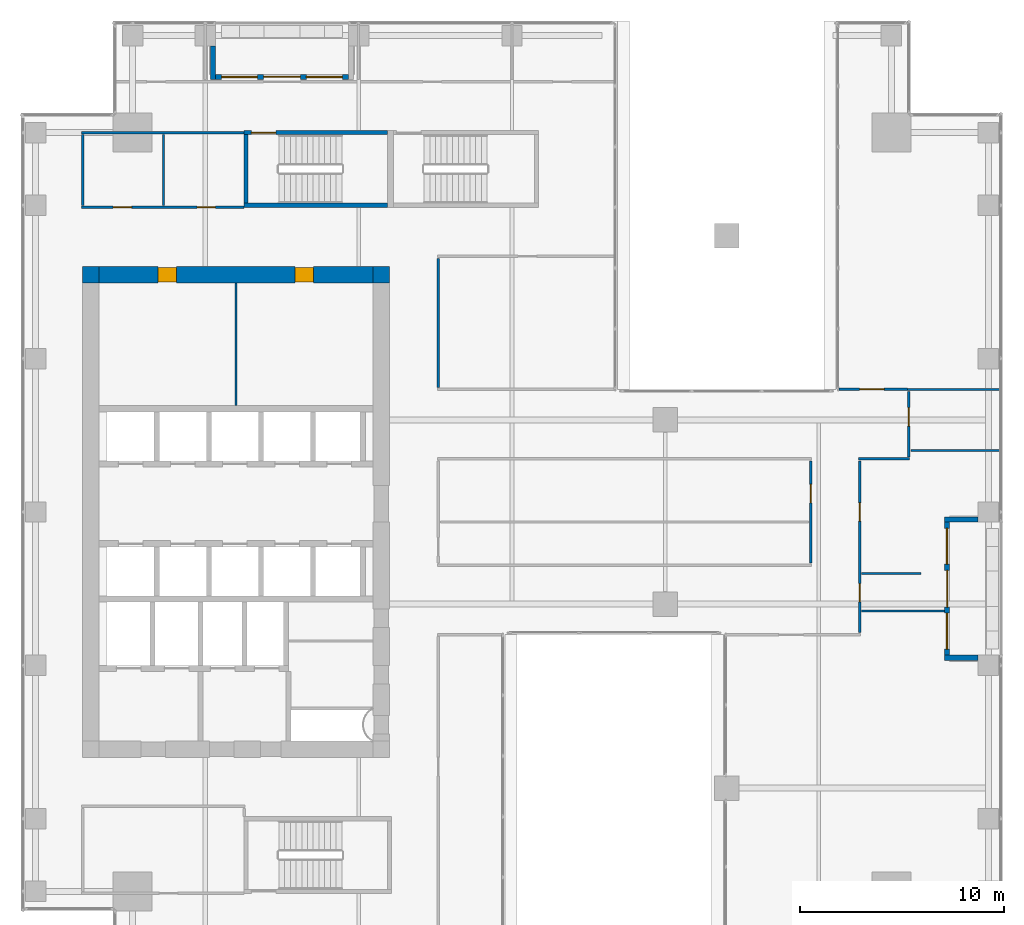
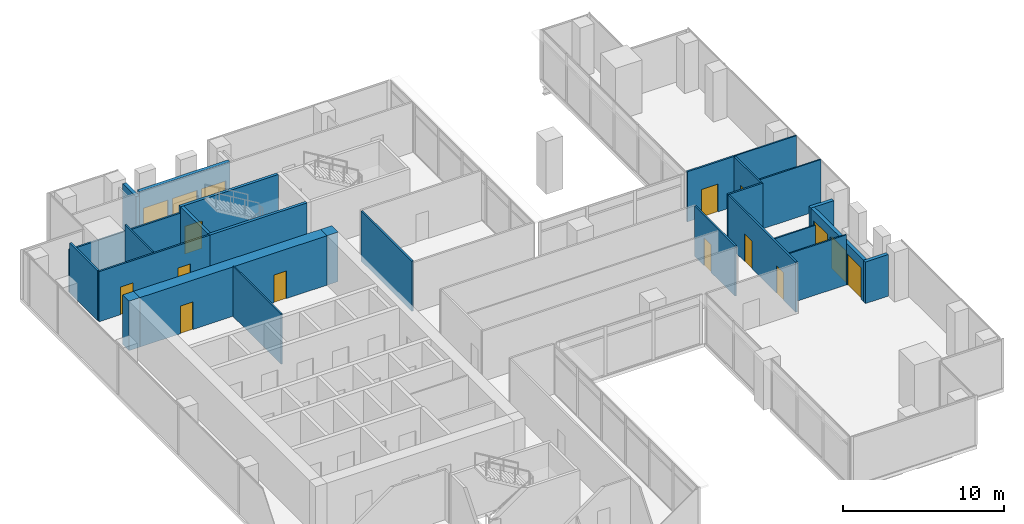
# One storey, part 34 of 38: 26 walls, 12 doors, 4 windows, 16 openings.
"""IFC4 building model written with IfcOpenShell, lengths in metres."""

import ifcopenshell
import ifcopenshell.guid

model = None  # the IFC model being written
_history = None  # IfcOwnerHistory: only IFC2X3 demands one
_inside = {}  # id of a spatial element -> (the spatial element, [elements in it])
_under = {}  # id of a project, library or spatial element -> (it, [spatial elements below it])
_declared = {}  # id of a project -> (the project, [libraries it declares])
_typed = {}  # id of a type object -> (the type object, [elements of that type])
_made_of = {}  # id of a material, layer set ... -> (it, [elements and type objects made of it])


def new_model(schema):
    """Start an empty IFC model of exactly this schema.

    Asked for "IFC4X3", IfcOpenShell would pick the latest addendum, in which some entities
    have other attributes; the version numbers below select the first issue.
    IFC2X3 requires an IfcOwnerHistory on every rooted entity: one is made here for all.
    """
    global model, _history
    if schema == "IFC4X3":
        model = ifcopenshell.file(schema_version=(4, 3, 0, 0))
    else:
        model = ifcopenshell.file(schema=schema)
    _inside.clear()
    _under.clear()
    _declared.clear()
    _typed.clear()
    _made_of.clear()
    _history = None
    if model.schema == "IFC2X3":
        org = make("IfcOrganization", Name="unknown")
        user = make(
            "IfcPersonAndOrganization",
            ThePerson=make("IfcPerson", FamilyName="unknown"),
            TheOrganization=org,
        )
        app = make(
            "IfcApplication",
            ApplicationDeveloper=org,
            Version="unknown",
            ApplicationFullName="unknown",
            ApplicationIdentifier="unknown",
        )
        _history = make(
            "IfcOwnerHistory",
            OwningUser=user,
            OwningApplication=app,
            ChangeAction="ADDED",
            CreationDate=0,
        )
    return model


def make(cls, **values):
    """One entity of the class cls with the attributes given. An attribute that is None is left unset."""
    return model.create_entity(
        cls, **{name: value for name, value in values.items() if value is not None}
    )


def rooted(cls, **values):
    """An entity with a GlobalId (a new one), such as an element, a storey or a relation."""
    return make(cls, GlobalId=ifcopenshell.guid.new(), OwnerHistory=_history, **values)


def si_unit(unit_type, name, prefix=None):
    """IfcSIUnit, for example si_unit("LENGTHUNIT", "METRE", prefix="MILLI")."""
    return make("IfcSIUnit", UnitType=unit_type, Prefix=prefix, Name=name)


def assignment(units):
    """IfcUnitAssignment: the units of a project."""
    return None if units is None else make("IfcUnitAssignment", Units=units)


def point(xyz):
    """IfcCartesianPoint."""
    return None if xyz is None else make("IfcCartesianPoint", Coordinates=xyz)


def direction(xyz):
    """IfcDirection."""
    return None if xyz is None else make("IfcDirection", DirectionRatios=xyz)


def frame(location, z_axis=None, x_axis=None):
    """IfcAxis2Placement3D, a coordinate frame: its origin and axes. An axis left out is left unset."""
    return make(
        "IfcAxis2Placement3D",
        Location=point(location),
        Axis=direction(z_axis),
        RefDirection=direction(x_axis),
    )


def frame_2d(location, x_axis=None):
    """IfcAxis2Placement2D, a coordinate frame in the plane: its origin and x axis."""
    return make(
        "IfcAxis2Placement2D", Location=point(location), RefDirection=direction(x_axis)
    )


def origin():
    """The frame at (0, 0, 0) with its axes left unset."""
    return frame((0.0, 0.0, 0.0))


def place(relative_to, where):
    """IfcLocalPlacement: puts the frame where relative to a parent placement (None: the world)."""
    return make(
        "IfcLocalPlacement", PlacementRelTo=relative_to, RelativePlacement=where
    )


def context(
    kind, dimensions, precision=None, world=None, true_north=None, identifier=None
):
    """IfcGeometricRepresentationContext, for example the 3D "Model" context."""
    return make(
        "IfcGeometricRepresentationContext",
        ContextIdentifier=identifier,
        ContextType=kind,
        CoordinateSpaceDimension=dimensions,
        Precision=precision,
        WorldCoordinateSystem=world,
        TrueNorth=true_north,
    )


def subcontext(parent, identifier, kind, view, scale=None):
    """IfcGeometricRepresentationSubContext, for example "Body" below "Model"."""
    return make(
        "IfcGeometricRepresentationSubContext",
        ContextIdentifier=identifier,
        ContextType=kind,
        ParentContext=parent,
        TargetScale=scale,
        TargetView=view,
    )


def project(units=None, contexts=None):
    """IfcProject with its units and contexts."""
    return rooted(
        "IfcProject",
        Name="project",
        RepresentationContexts=contexts,
        UnitsInContext=assignment(units),
    )


def spatial(cls, under=None, at=None, **own):
    """A site, building, storey or space (cls), placed at a placement, below another one or the project."""
    s = rooted(cls, ObjectPlacement=at, **own)
    if under is not None:
        _under.setdefault(under.id(), (under, []))[1].append(s)
    return s


def profile(cls, at=None, kind="AREA", **sizes):
    """A parametric profile (cls). Its sizes go by their IFC names, for example OverallWidth=200.0."""
    return make(cls, ProfileType=kind, Position=at, **sizes)


def rectangle(**sizes):
    """IfcRectangleProfileDef."""
    return profile("IfcRectangleProfileDef", **sizes)


def extrude(swept, where, along, depth):
    """IfcExtrudedAreaSolid: the profile swept, set in the frame where, extruded along a direction by depth."""
    return make(
        "IfcExtrudedAreaSolid",
        SweptArea=swept,
        Position=where,
        ExtrudedDirection=direction(along),
        Depth=depth,
    )


def shape(context_of_items, identifier, shape_type, items):
    """IfcShapeRepresentation: the items that make up one representation, for example the "Body"."""
    return make(
        "IfcShapeRepresentation",
        ContextOfItems=context_of_items,
        RepresentationIdentifier=identifier,
        RepresentationType=shape_type,
        Items=items,
    )


def source(mapping_origin, context_of_items, identifier, shape_type, items):
    """IfcRepresentationMap: a shape defined once, which mapped items show again and again."""
    return make(
        "IfcRepresentationMap",
        MappingOrigin=mapping_origin,
        MappedRepresentation=shape(context_of_items, identifier, shape_type, items),
    )


def transform(
    local_origin,
    x_axis=None,
    y_axis=None,
    z_axis=None,
    scale=None,
    scale2=None,
    scale3=None,
    uniform=True,
):
    """IfcCartesianTransformationOperator3D, or its non-uniform kind. x_axis, y_axis, z_axis: its Axis1, 2, 3."""
    if uniform:
        return make(
            "IfcCartesianTransformationOperator3D",
            Axis1=direction(x_axis),
            Axis2=direction(y_axis),
            LocalOrigin=point(local_origin),
            Scale=scale,
            Axis3=direction(z_axis),
        )
    return make(
        "IfcCartesianTransformationOperator3DnonUniform",
        Axis1=direction(x_axis),
        Axis2=direction(y_axis),
        LocalOrigin=point(local_origin),
        Scale=scale,
        Axis3=direction(z_axis),
        Scale2=scale2,
        Scale3=scale3,
    )


def mapped(mapping_source, mapping_target):
    """IfcMappedItem: shows the shape of a source again, moved by a transform."""
    return make(
        "IfcMappedItem", MappingSource=mapping_source, MappingTarget=mapping_target
    )


def material(Name=None, Category=None):
    """IfcMaterial."""
    return make("IfcMaterial", Name=Name, Category=Category)


def layer(
    of_material, thickness, ventilated=None, Name=None, Category=None, Priority=None
):
    """IfcMaterialLayer: one layer of a wall or slab, of a material (None: an air gap)."""
    return make(
        "IfcMaterialLayer",
        Material=of_material,
        LayerThickness=thickness,
        IsVentilated=ventilated,
        Name=Name,
        Category=Category,
        Priority=Priority,
    )


def layer_set(layers, Name=None):
    """IfcMaterialLayerSet."""
    return make("IfcMaterialLayerSet", MaterialLayers=layers, LayerSetName=Name)


def made_of(thing, what):
    """Note that an element or type object is made of a material, layer set ...; save() writes the relation."""
    if what is not None:
        _made_of.setdefault(what.id(), (what, []))[1].append(thing)
    return thing


def type_object(cls, material=None, **own):
    """A type object (cls), such as IfcWallType, which elements share."""
    return made_of(rooted(cls, **own), material)


def element(
    cls,
    number,
    at=None,
    inside=None,
    cuts=None,
    type_object=None,
    material=None,
    context=None,
    identifier="Body",
    shape_type=None,
    held_by="IfcProductDefinitionShape",
    body=None,
    shapes=None,
    **own,
):
    """One element of the class cls, such as IfcWall. Its Tag is "e" and its number.

    at: its placement. inside: the storey or other place that contains it. cuts: it is an
    opening in that element (IfcRelVoidsElement). A single representation is given by context,
    identifier, shape_type and body (its items); several are given by shapes. held_by: the class
    of the entity that holds the representations. save() writes the other relations.
    """
    e = rooted(cls, Tag="e%d" % number, ObjectPlacement=at, **own)
    if body is not None:
        shapes = [shape(context, identifier, shape_type, body)]
    if shapes is not None:
        e.Representation = make(held_by, Representations=shapes)
    if inside is not None:
        _inside.setdefault(inside.id(), (inside, []))[1].append(e)
    if cuts is not None:
        rooted(
            "IfcRelVoidsElement", RelatingBuildingElement=cuts, RelatedOpeningElement=e
        )
    if type_object is not None:
        _typed.setdefault(type_object.id(), (type_object, []))[1].append(e)
    return made_of(e, material)


def fill(opening, filler):
    """IfcRelFillsElement: the door or window that sits in an opening."""
    return rooted(
        "IfcRelFillsElement",
        RelatingOpeningElement=opening,
        RelatedBuildingElement=filler,
    )


def aggregate(whole, parts):
    """IfcRelAggregates: a whole, such as a stair, and the parts it consists of."""
    return rooted("IfcRelAggregates", RelatingObject=whole, RelatedObjects=parts)


def save(model, path):
    """Write the relations noted so far, then the file.

    IfcRelAggregates (storeys below a building ...), IfcRelContainedInSpatialStructure (elements
    in a storey), IfcRelDefinesByType, IfcRelAssociatesMaterial and IfcRelDeclares: one each for
    every whole, place, type object, material and project.
    """
    for whole, parts in _under.values():
        aggregate(whole, parts)
    for where, things in _inside.values():
        rooted(
            "IfcRelContainedInSpatialStructure",
            RelatedElements=things,
            RelatingStructure=where,
        )
    for kind, things in _typed.values():
        rooted("IfcRelDefinesByType", RelatedObjects=things, RelatingType=kind)
    for what, things in _made_of.values():
        rooted("IfcRelAssociatesMaterial", RelatedObjects=things, RelatingMaterial=what)
    for by, libraries in _declared.values():
        rooted("IfcRelDeclares", RelatingContext=by, RelatedDefinitions=libraries)
    model.write(path)


model = new_model("IFC4")

# Units and contexts
model_context = context("Model", 3, precision=1e-05, world=origin(), true_north=direction((0.0, 1.0)))
body_context = subcontext(model_context, "Body", "Model", "MODEL_VIEW")
ifc_project = project(units=[si_unit("LENGTHUNIT", "METRE"), si_unit("AREAUNIT", "SQUARE_METRE"), si_unit("VOLUMEUNIT", "CUBIC_METRE"), si_unit("PLANEANGLEUNIT", "RADIAN"), si_unit("MASSUNIT", "GRAM", prefix="KILO")], contexts=[model_context])

# Site, building, storey
site_placement = place(None, origin())
site = spatial("IfcSite", under=ifc_project, at=site_placement, CompositionType="ELEMENT")
building_placement = place(site_placement, origin())
building = spatial("IfcBuilding", under=site, at=building_placement, Name="Khomas Fold Tower", CompositionType="ELEMENT")
storey_placement = place(building_placement, frame((0.0, 0.0, 172.699951171875)))
storey = spatial("IfcBuildingStorey", under=building, at=storey_placement, Name="L37", CompositionType="ELEMENT", Elevation=172.699951171875)

# Wall, openings, doors
ifc_material_1 = material(Name="Concrete C60/75", Category="concrete")
ifc_layer_1 = layer(ifc_material_1, 0.800048828125)
ifc_layer_set_1 = layer_set([ifc_layer_1], Name="Concrete C60/75")
wall_type_1 = type_object("IfcWallType", Name="Core wall 800", PredefinedType="SHEAR", material=ifc_layer_set_1)
shared_shape_1 = source(origin(), body_context, "Body", "SweptSolid", [
    extrude(rectangle(XDim=13.39990234375, YDim=0.800048828125, at=frame_2d((6.699951171875, 0.0))), origin(), (0.0, 0.0, 1.0), 3.75),
])
wall_1_placement = place(storey_placement, frame((6.800048828125, 38.60009765625, 0.0), z_axis=(0.0, 0.0, 1.0), x_axis=(1.0, 0.0, 0.0)))
wall_1 = element("IfcWall", 1, at=wall_1_placement, inside=storey, type_object=wall_type_1, Name="Core wall CW-U-N-L35", PredefinedType="SHEAR", context=body_context, shape_type="MappedRepresentation", body=[
    mapped(shared_shape_1, transform((0.0, 0.0, 0.0))),
])
shared_shape_2 = source(origin(), body_context, "Body", "SweptSolid", [
    extrude(rectangle(XDim=0.89990234375, YDim=2.10009765625, at=frame_2d((0.449951171875, 1.050048828125))), frame((0.0, 0.409912109375, 0.0), z_axis=(0.0, -1.0, 0.0), x_axis=(1.0, 0.0, 0.0)), (0.0, 0.0, 1.0), 0.820068359375),
])
opening_1_placement = place(wall_1_placement, frame((2.89990234375, 0.0, 0.0)))
opening_1 = element("IfcOpeningElement", 2, at=opening_1_placement, cuts=wall_1, Name="Opening 0008", PredefinedType="OPENING", context=body_context, shape_type="MappedRepresentation", body=[
    mapped(shared_shape_2, transform((0.0, 0.0, 0.0))),
])
opening_2_placement = place(wall_1_placement, frame((9.60009765625, 0.0, 0.0)))
opening_2 = element("IfcOpeningElement", 3, at=opening_2_placement, cuts=wall_1, Name="Opening 0008", PredefinedType="OPENING", context=body_context, shape_type="MappedRepresentation", body=[
    mapped(shared_shape_2, transform((0.0, 0.0, 0.0))),
])
ifc_material_2 = material(Name="Timber door leaf", Category="wood")
door_type_1 = type_object("IfcDoorType", Name="Door 900x2100 right-hand", OperationType="SINGLE_SWING_RIGHT", PredefinedType="DOOR", material=ifc_material_2)
shared_shape_3 = source(origin(), body_context, "Body", "SweptSolid", [
    extrude(rectangle(XDim=0.89990234375, YDim=2.10009765625, at=frame_2d((0.449951171875, 1.050048828125))), frame((0.0, 0.35009765625, 0.0), z_axis=(0.0, -1.0, 0.0), x_axis=(1.0, 0.0, 0.0)), (0.0, 0.0, 1.0), 0.699951171875),
])
door_1_placement = place(opening_1_placement, origin())
door_1 = element("IfcDoor", 4, at=door_1_placement, inside=storey, type_object=door_type_1, Name="Door", OperationType="SINGLE_SWING_RIGHT", OverallHeight=2.10009765625, OverallWidth=0.89990234375, PredefinedType="DOOR", context=body_context, shape_type="MappedRepresentation", body=[
    mapped(shared_shape_3, transform((0.0, 0.0, 0.0))),
])
fill(opening_1, door_1)
door_2_placement = place(opening_2_placement, origin())
door_2 = element("IfcDoor", 5, at=door_2_placement, inside=storey, type_object=door_type_1, Name="Door", OperationType="SINGLE_SWING_RIGHT", OverallHeight=2.10009765625, OverallWidth=0.89990234375, PredefinedType="DOOR", context=body_context, shape_type="MappedRepresentation", body=[
    mapped(shared_shape_3, transform((0.0, 0.0, 0.0))),
])
fill(opening_2, door_2)

# Walls
ifc_material_3 = material(Name="Concrete C60/75", Category="concrete")
ifc_layer_2 = layer(ifc_material_3, 0.800048828125)
ifc_layer_set_2 = layer_set([ifc_layer_2], Name="Concrete C60/75")
wall_type_2 = type_object("IfcWallType", Name="Core corner wall 800", PredefinedType="SHEAR", material=ifc_layer_set_2)
shared_shape_4 = source(origin(), body_context, "Body", "SweptSolid", [
    extrude(rectangle(XDim=0.800048828125, YDim=0.800048828125, at=frame_2d((0.39990234375, 0.0))), origin(), (0.0, 0.0, 1.0), 3.75),
])
for number, where, z_axis, x_axis, name in (
    (6, (20.199951171875, 38.60009765625, 0.0), (0.0, 0.0, 1.0), (1.0, 0.0, 0.0), "Core wall CW-U-NE-L35"),
    (7, (6.0, 38.60009765625, 0.0), (0.0, 0.0, 1.0), (1.0, 0.0, 0.0), "Core wall CW-U-NW-L35"),
):
    element("IfcWall", number, at=place(storey_placement, frame(where, z_axis=z_axis, x_axis=x_axis)), inside=storey, type_object=wall_type_2, Name=name, PredefinedType="SHEAR", context=body_context, shape_type="MappedRepresentation", body=[
        mapped(shared_shape_4, transform((0.0, 0.0, 0.0))),
    ])

# Wall, opening, door
ifc_material_4 = material(Name="Concrete C50/60", Category="concrete")
ifc_layer_3 = layer(ifc_material_4, 0.199951171875)
ifc_layer_set_3 = layer_set([ifc_layer_3], Name="Concrete C50/60")
wall_type_3 = type_object("IfcWallType", Name="Stair wall 200", PredefinedType="SHEAR", material=ifc_layer_set_3)
shared_shape_5 = source(origin(), body_context, "Body", "SweptSolid", [
    extrude(rectangle(XDim=7.0, YDim=0.199951171875, at=frame_2d((3.5, 0.0))), origin(), (0.0, 0.0, 1.0), 3.75),
])
wall_2_placement = place(storey_placement, frame((13.89990234375, 45.550048828125, 0.0), z_axis=(0.0, 0.0, 1.0), x_axis=(1.0, 0.0, 0.0)))
wall_2 = element("IfcWall", 8, at=wall_2_placement, inside=storey, type_object=wall_type_3, Name="Stair wall SW-ST1-N", PredefinedType="SHEAR", context=body_context, shape_type="MappedRepresentation", body=[
    mapped(shared_shape_5, transform((0.0, 0.0, 0.0))),
])
shared_shape_6 = source(origin(), body_context, "Body", "SweptSolid", [
    extrude(rectangle(XDim=1.199951171875, YDim=2.10009765625, at=frame_2d((0.60009765625, 1.050048828125))), frame((0.0, 0.10986328125, 0.0), z_axis=(0.0, -1.0, 0.0), x_axis=(1.0, 0.0, 0.0)), (0.0, 0.0, 1.0), 0.219970703125),
])
opening_3_placement = place(wall_2_placement, frame((0.35009765625, 0.0, 0.0)))
opening_3 = element("IfcOpeningElement", 9, at=opening_3_placement, cuts=wall_2, Name="Opening SD-ST1", PredefinedType="OPENING", context=body_context, shape_type="MappedRepresentation", body=[
    mapped(shared_shape_6, transform((0.0, 0.0, 0.0))),
])
ifc_material_5 = material(Name="Steel door leaf", Category="steel")
door_type_2 = type_object("IfcDoorType", Name="Stair door 1200x2100 left-hand", OperationType="SINGLE_SWING_LEFT", PredefinedType="DOOR", material=ifc_material_5)
shared_shape_7 = source(origin(), body_context, "Body", "SweptSolid", [
    extrude(rectangle(XDim=1.199951171875, YDim=2.10009765625, at=frame_2d((0.60009765625, 1.050048828125))), frame((0.0, 0.02490234375, 0.0), z_axis=(0.0, -1.0, 0.0), x_axis=(1.0, 0.0, 0.0)), (0.0, 0.0, 1.0), 0.050048828125),
])
door_3_placement = place(opening_3_placement, origin())
door_3 = element("IfcDoor", 10, at=door_3_placement, inside=storey, type_object=door_type_2, Name="Stair door", OperationType="SINGLE_SWING_LEFT", OverallHeight=2.10009765625, OverallWidth=1.199951171875, PredefinedType="DOOR", context=body_context, shape_type="MappedRepresentation", body=[
    mapped(shared_shape_7, transform((0.0, 0.0, 0.0))),
])
fill(opening_3, door_3)

# Walls
wall_3_placement = place(storey_placement, frame((13.89990234375, 42.0, 0.0), z_axis=(0.0, 0.0, 1.0), x_axis=(1.0, 0.0, 0.0)))
element("IfcWall", 11, at=wall_3_placement, inside=storey, type_object=wall_type_3, Name="Stair wall SW-ST1-S", PredefinedType="SHEAR", context=body_context, shape_type="MappedRepresentation", body=[
    mapped(shared_shape_5, transform((0.0, 0.0, 0.0))),
])
shared_shape_8 = source(origin(), body_context, "Body", "SweptSolid", [
    extrude(rectangle(XDim=3.349853515625, YDim=0.199951171875, at=frame_2d((1.6748046875, 0.0))), origin(), (0.0, 0.0, 1.0), 3.75),
])
wall_4_placement = place(storey_placement, frame((14.0, 42.10009765625, 0.0), z_axis=(0.0, 0.0, 1.0), x_axis=(0.0, 1.0, 0.0)))
element("IfcWall", 12, at=wall_4_placement, inside=storey, type_object=wall_type_3, Name="Stair wall SW-ST1-W", PredefinedType="SHEAR", context=body_context, shape_type="MappedRepresentation", body=[
    mapped(shared_shape_8, transform((0.0, 0.0, 0.0))),
])

# Wall, openings, door, windows
ifc_material_6 = material(Name="Natural stone", Category="masonry")
ifc_layer_4 = layer(ifc_material_6, 0.0400390625)
ifc_material_7 = material(Name="Mineral wool insulation", Category="insulation")
ifc_layer_5 = layer(ifc_material_7, 0.10009765625)
ifc_material_8 = material(Name="Masonry", Category="masonry")
ifc_layer_6 = layer(ifc_material_8, 0.110107421875)
ifc_layer_set_4 = layer_set([ifc_layer_4, ifc_layer_5, ifc_layer_6], Name="Stone-faced insulated masonry")
wall_type_4 = type_object("IfcWallType", Name="BL-Balcony wall", PredefinedType="SOLIDWALL", material=ifc_layer_set_4)
shared_shape_9 = source(origin(), body_context, "Body", "SweptSolid", [
    extrude(rectangle(XDim=6.5, YDim=0.25, at=frame_2d((3.25, 0.0))), origin(), (0.0, 0.0, 1.0), 3.75),
])
wall_5_placement = place(storey_placement, frame((12.5, 48.27490234375, 0.0), z_axis=(0.0, 0.0, 1.0), x_axis=(1.0, 0.0, 0.0)))
wall_5 = element("IfcWall", 13, at=wall_5_placement, inside=storey, type_object=wall_type_4, Name="Balcony wall BAL-L37-N1", PredefinedType="SOLIDWALL", context=body_context, shape_type="MappedRepresentation", body=[
    mapped(shared_shape_9, transform((0.0, 0.0, 0.0))),
])
shared_shape_10 = source(origin(), body_context, "Body", "SweptSolid", [
    extrude(rectangle(XDim=1.75, YDim=2.39990234375, at=frame_2d((0.875, 1.199951171875))), frame((0.0, 0.135009765625, 0.0), z_axis=(0.0, -1.0, 0.0), x_axis=(1.0, 0.0, 0.0)), (0.0, 0.0, 1.0), 0.27001953125),
])
opening_4_placement = place(wall_5_placement, frame((0.300048828125, 0.0, 0.0)))
opening_4 = element("IfcOpeningElement", 14, at=opening_4_placement, cuts=wall_5, Name="Opening BL-W3", PredefinedType="OPENING", context=body_context, shape_type="MappedRepresentation", body=[
    mapped(shared_shape_10, transform((0.0, 0.0, 0.0))),
])
opening_5_placement = place(wall_5_placement, frame((4.449951171875, 0.0, 0.0)))
opening_5 = element("IfcOpeningElement", 15, at=opening_5_placement, cuts=wall_5, Name="Opening BL-W3", PredefinedType="OPENING", context=body_context, shape_type="MappedRepresentation", body=[
    mapped(shared_shape_10, transform((0.0, 0.0, 0.0))),
])
shared_shape_11 = source(origin(), body_context, "Body", "SweptSolid", [
    extrude(rectangle(XDim=1.800048828125, YDim=2.39990234375, at=frame_2d((0.89990234375, 1.199951171875))), frame((0.0, 0.135009765625, 0.0), z_axis=(0.0, -1.0, 0.0), x_axis=(1.0, 0.0, 0.0)), (0.0, 0.0, 1.0), 0.27001953125),
])
opening_6_placement = place(wall_5_placement, frame((2.35009765625, 0.0, 0.0)))
opening_6 = element("IfcOpeningElement", 16, at=opening_6_placement, cuts=wall_5, Name="Opening BD371", PredefinedType="OPENING", context=body_context, shape_type="MappedRepresentation", body=[
    mapped(shared_shape_11, transform((0.0, 0.0, 0.0))),
])
ifc_material_9 = material(Name="Aluminium framed double glazing", Category="aluminium")
door_type_3 = type_object("IfcDoorType", Name="BL-Glazed balcony door 1800 x 2400", OperationType="DOUBLE_DOOR_DOUBLE_SWING", PredefinedType="DOOR", material=ifc_material_9)
shared_shape_12 = source(origin(), body_context, "Body", "SweptSolid", [
    extrude(rectangle(XDim=1.800048828125, YDim=2.39990234375, at=frame_2d((0.89990234375, 1.199951171875))), frame((0.0, 0.02490234375, 0.0), z_axis=(0.0, -1.0, 0.0), x_axis=(1.0, 0.0, 0.0)), (0.0, 0.0, 1.0), 0.050048828125),
])
door_4_placement = place(opening_6_placement, origin())
door_4 = element("IfcDoor", 17, at=door_4_placement, inside=storey, type_object=door_type_3, Name="Balcony door BD371", OperationType="DOUBLE_DOOR_DOUBLE_SWING", OverallHeight=2.39990234375, OverallWidth=1.800048828125, PredefinedType="DOOR", context=body_context, shape_type="MappedRepresentation", body=[
    mapped(shared_shape_12, transform((0.0, 0.0, 0.0))),
])
fill(opening_6, door_4)
ifc_material_10 = material(Name="Aluminium framed double glazing", Category="aluminium")
window_type = type_object("IfcWindowType", Name="BL-Fixed glazing 1750 x 2400", PartitioningType="SINGLE_PANEL", PredefinedType="WINDOW", material=ifc_material_10)
shared_shape_13 = source(origin(), body_context, "Body", "SweptSolid", [
    extrude(rectangle(XDim=1.75, YDim=2.39990234375, at=frame_2d((0.875, 1.199951171875))), frame((0.0, 0.030029296875, 0.0), z_axis=(0.0, -1.0, 0.0), x_axis=(1.0, 0.0, 0.0)), (0.0, 0.0, 1.0), 0.06005859375),
])
window_1_placement = place(opening_4_placement, origin())
window_1 = element("IfcWindow", 18, at=window_1_placement, inside=storey, type_object=window_type, Name="Balcony glazing BAL-L37-N1-1", OverallHeight=2.39990234375, OverallWidth=1.75, PartitioningType="SINGLE_PANEL", PredefinedType="WINDOW", context=body_context, shape_type="MappedRepresentation", body=[
    mapped(shared_shape_13, transform((0.0, 0.0, 0.0))),
])
fill(opening_4, window_1)
window_2_placement = place(opening_5_placement, origin())
window_2 = element("IfcWindow", 19, at=window_2_placement, inside=storey, type_object=window_type, Name="Balcony glazing BAL-L37-N1-2", OverallHeight=2.39990234375, OverallWidth=1.75, PartitioningType="SINGLE_PANEL", PredefinedType="WINDOW", context=body_context, shape_type="MappedRepresentation", body=[
    mapped(shared_shape_13, transform((0.0, 0.0, 0.0))),
])
fill(opening_5, window_2)

# Wall
shared_shape_14 = source(origin(), body_context, "Body", "SweptSolid", [
    extrude(rectangle(XDim=1.650146484375, YDim=0.25, at=frame_2d((0.8251953125, 0.0))), origin(), (0.0, 0.0, 1.0), 3.449951171875),
])
wall_6_placement = place(storey_placement, frame((12.375, 49.800048828125, 0.0), z_axis=(0.0, 0.0, 1.0), x_axis=(0.0, -1.0, 0.0)))
element("IfcWall", 20, at=wall_6_placement, inside=storey, type_object=wall_type_4, Name="Balcony return wall BAL-L37-N1-lo", PredefinedType="SOLIDWALL", context=body_context, shape_type="MappedRepresentation", body=[
    mapped(shared_shape_14, transform((0.0, 0.0, 0.0))),
])

# Wall, openings, door, windows
shared_shape_15 = source(origin(), body_context, "Body", "SweptSolid", [
    extrude(rectangle(XDim=6.5, YDim=0.25, at=frame_2d((3.25, 0.0))), origin(), (0.0, 0.0, 1.0), 3.150146484375),
])
wall_7_placement = place(storey_placement, frame((48.27490234375, 20.0, 0.0), z_axis=(0.0, 0.0, 1.0), x_axis=(0.0, 1.0, 0.0)))
wall_7 = element("IfcWall", 21, at=wall_7_placement, inside=storey, type_object=wall_type_4, Name="Balcony wall BAL-L37-E2", PredefinedType="SOLIDWALL", context=body_context, shape_type="MappedRepresentation", body=[
    mapped(shared_shape_15, transform((0.0, 0.0, 0.0))),
])
opening_7_placement = place(wall_7_placement, frame((0.300048828125, 0.0, 0.0)))
opening_7 = element("IfcOpeningElement", 22, at=opening_7_placement, cuts=wall_7, Name="Opening BL-W3", PredefinedType="OPENING", context=body_context, shape_type="MappedRepresentation", body=[
    mapped(shared_shape_10, transform((0.0, 0.0, 0.0))),
])
opening_8_placement = place(wall_7_placement, frame((4.449951171875, 0.0, 0.0)))
opening_8 = element("IfcOpeningElement", 23, at=opening_8_placement, cuts=wall_7, Name="Opening BL-W3", PredefinedType="OPENING", context=body_context, shape_type="MappedRepresentation", body=[
    mapped(shared_shape_10, transform((0.0, 0.0, 0.0))),
])
opening_9_placement = place(wall_7_placement, frame((2.35009765625, 0.0, 0.0)))
opening_9 = element("IfcOpeningElement", 24, at=opening_9_placement, cuts=wall_7, Name="Opening BD372", PredefinedType="OPENING", context=body_context, shape_type="MappedRepresentation", body=[
    mapped(shared_shape_11, transform((0.0, 0.0, 0.0))),
])
door_5_placement = place(opening_9_placement, origin())
door_5 = element("IfcDoor", 25, at=door_5_placement, inside=storey, type_object=door_type_3, Name="Balcony door BD372", OperationType="DOUBLE_DOOR_DOUBLE_SWING", OverallHeight=2.39990234375, OverallWidth=1.800048828125, PredefinedType="DOOR", context=body_context, shape_type="MappedRepresentation", body=[
    mapped(shared_shape_12, transform((0.0, 0.0, 0.0))),
])
fill(opening_9, door_5)
window_3_placement = place(opening_7_placement, origin())
window_3 = element("IfcWindow", 26, at=window_3_placement, inside=storey, type_object=window_type, Name="Balcony glazing BAL-L37-E2-1", OverallHeight=2.39990234375, OverallWidth=1.75, PartitioningType="SINGLE_PANEL", PredefinedType="WINDOW", context=body_context, shape_type="MappedRepresentation", body=[
    mapped(shared_shape_13, transform((0.0, 0.0, 0.0))),
])
fill(opening_7, window_3)
window_4_placement = place(opening_8_placement, origin())
window_4 = element("IfcWindow", 27, at=window_4_placement, inside=storey, type_object=window_type, Name="Balcony glazing BAL-L37-E2-2", OverallHeight=2.39990234375, OverallWidth=1.75, PartitioningType="SINGLE_PANEL", PredefinedType="WINDOW", context=body_context, shape_type="MappedRepresentation", body=[
    mapped(shared_shape_13, transform((0.0, 0.0, 0.0))),
])
fill(opening_8, window_4)

# Walls
shared_shape_16 = source(origin(), body_context, "Body", "SweptSolid", [
    extrude(rectangle(XDim=1.650146484375, YDim=0.25, at=frame_2d((0.8251953125, 0.0))), origin(), (0.0, 0.0, 1.0), 3.150146484375),
])
for number, where, z_axis, x_axis, name in (
    (28, (49.800048828125, 19.875, 0.0), (0.0, 0.0, 1.0), (-1.0, 0.0, 0.0), "Balcony return wall BAL-L37-E2-lo"),
    (29, (49.800048828125, 26.625, 0.0), (0.0, 0.0, 1.0), (-1.0, 0.0, 0.0), "Balcony return wall BAL-L37-E2-hi"),
):
    element("IfcWall", number, at=place(storey_placement, frame(where, z_axis=z_axis, x_axis=x_axis)), inside=storey, type_object=wall_type_4, Name=name, PredefinedType="SOLIDWALL", context=body_context, shape_type="MappedRepresentation", body=[
        mapped(shared_shape_16, transform((0.0, 0.0, 0.0))),
    ])
ifc_material_11 = material(Name="Plasterboard partition")
ifc_layer_7 = layer(ifc_material_11, 0.125)
ifc_layer_set_5 = layer_set([ifc_layer_7], Name="Plasterboard partition")
wall_type_5 = type_object("IfcWallType", Name="Partition PW2 125", PredefinedType="PARTITIONING", material=ifc_layer_set_5)
shared_shape_17 = source(origin(), body_context, "Body", "SweptSolid", [
    extrude(rectangle(XDim=7.949951171875, YDim=0.125, at=frame_2d((3.97509765625, 0.0))), origin(), (0.0, 0.0, 1.0), 3.25),
])
wall_8_placement = place(storey_placement, frame((5.949951171875, 45.550048828125, 0.0), z_axis=(0.0, 0.0, 1.0), x_axis=(1.0, 0.0, 0.0)))
element("IfcWall", 30, at=wall_8_placement, inside=storey, type_object=wall_type_5, Name="Partition", PredefinedType="PARTITIONING", context=body_context, shape_type="MappedRepresentation", body=[
    mapped(shared_shape_17, transform((0.0, 0.0, 0.0))),
])

# Wall, openings, doors
shared_shape_18 = source(origin(), body_context, "Body", "SweptSolid", [
    extrude(rectangle(XDim=8.39990234375, YDim=0.125, at=frame_2d((4.199951171875, 0.0))), origin(), (0.0, 0.0, 1.0), 3.800048828125),
])
wall_9_placement = place(storey_placement, frame((44.0, 21.10009765625, 0.0), z_axis=(0.0, 0.0, 1.0), x_axis=(0.0, 1.0, 0.0)))
wall_9 = element("IfcWall", 31, at=wall_9_placement, inside=storey, type_object=wall_type_5, Name="Partition", PredefinedType="PARTITIONING", context=body_context, shape_type="MappedRepresentation", body=[
    mapped(shared_shape_18, transform((0.0, 0.0, 0.0))),
])
shared_shape_19 = source(origin(), body_context, "Body", "SweptSolid", [
    extrude(rectangle(XDim=0.89990234375, YDim=2.10009765625, at=frame_2d((0.449951171875, 1.050048828125))), frame((0.0, 0.072509765625, 0.0), z_axis=(0.0, -1.0, 0.0), x_axis=(1.0, 0.0, 0.0)), (0.0, 0.0, 1.0), 0.14501953125),
])
opening_10_placement = place(wall_9_placement, frame((1.5, 0.0, 0.0)))
opening_10 = element("IfcOpeningElement", 32, at=opening_10_placement, cuts=wall_9, Name="Opening 0008", PredefinedType="OPENING", context=body_context, shape_type="MappedRepresentation", body=[
    mapped(shared_shape_19, transform((0.0, 0.0, 0.0))),
])
opening_11_placement = place(wall_9_placement, frame((5.449951171875, 0.0, 0.0)))
opening_11 = element("IfcOpeningElement", 33, at=opening_11_placement, cuts=wall_9, Name="Opening 0008", PredefinedType="OPENING", context=body_context, shape_type="MappedRepresentation", body=[
    mapped(shared_shape_19, transform((0.0, 0.0, 0.0))),
])
shared_shape_20 = source(origin(), body_context, "Body", "SweptSolid", [
    extrude(rectangle(XDim=0.89990234375, YDim=2.10009765625, at=frame_2d((0.449951171875, 1.050048828125))), frame((0.0, 0.02490234375, 0.0), z_axis=(0.0, -1.0, 0.0), x_axis=(1.0, 0.0, 0.0)), (0.0, 0.0, 1.0), 0.050048828125),
])
door_6_placement = place(opening_10_placement, origin())
door_6 = element("IfcDoor", 34, at=door_6_placement, inside=storey, type_object=door_type_1, Name="Door", OperationType="SINGLE_SWING_RIGHT", OverallHeight=2.10009765625, OverallWidth=0.89990234375, PredefinedType="DOOR", context=body_context, shape_type="MappedRepresentation", body=[
    mapped(shared_shape_20, transform((0.0, 0.0, 0.0))),
])
fill(opening_10, door_6)
door_7_placement = place(opening_11_placement, origin())
door_7 = element("IfcDoor", 35, at=door_7_placement, inside=storey, type_object=door_type_1, Name="Door", OperationType="SINGLE_SWING_RIGHT", OverallHeight=2.10009765625, OverallWidth=0.89990234375, PredefinedType="DOOR", context=body_context, shape_type="MappedRepresentation", body=[
    mapped(shared_shape_20, transform((0.0, 0.0, 0.0))),
])
fill(opening_11, door_7)

# Walls
ifc_material_12 = material(Name="Plasterboard partition")
ifc_layer_8 = layer(ifc_material_12, 0.10009765625)
ifc_layer_set_6 = layer_set([ifc_layer_8], Name="Plasterboard partition")
wall_type_6 = type_object("IfcWallType", Name="Partition PW1 100", PredefinedType="PARTITIONING", material=ifc_layer_set_6)
shared_shape_21 = source(origin(), body_context, "Body", "SweptSolid", [
    extrude(rectangle(XDim=4.0498046875, YDim=0.10009765625, at=frame_2d((2.02490234375, 0.0))), origin(), (0.0, 0.0, 1.0), 3.800048828125),
])
wall_10_placement = place(storey_placement, frame((44.10009765625, 22.14990234375, 0.0), z_axis=(0.0, 0.0, 1.0), x_axis=(1.0, 0.0, 0.0)))
element("IfcWall", 36, at=wall_10_placement, inside=storey, type_object=wall_type_6, Name="Partition", PredefinedType="PARTITIONING", context=body_context, shape_type="MappedRepresentation", body=[
    mapped(shared_shape_21, transform((0.0, 0.0, 0.0))),
])
shared_shape_22 = source(origin(), body_context, "Body", "SweptSolid", [
    extrude(rectangle(XDim=2.89990234375, YDim=0.10009765625, at=frame_2d((1.449951171875, 0.0))), origin(), (0.0, 0.0, 1.0), 3.800048828125),
])
wall_11_placement = place(storey_placement, frame((44.10009765625, 24.0, 0.0), z_axis=(0.0, 0.0, 1.0), x_axis=(1.0, 0.0, 0.0)))
element("IfcWall", 37, at=wall_11_placement, inside=storey, type_object=wall_type_6, Name="Partition", PredefinedType="PARTITIONING", context=body_context, shape_type="MappedRepresentation", body=[
    mapped(shared_shape_22, transform((0.0, 0.0, 0.0))),
])

# Wall, opening, door
shared_shape_23 = source(origin(), body_context, "Body", "SweptSolid", [
    extrude(rectangle(XDim=5.0, YDim=0.125, at=frame_2d((2.5, 0.0))), origin(), (0.0, 0.0, 1.0), 3.800048828125),
])
wall_12_placement = place(storey_placement, frame((41.60009765625, 24.5, 0.0), z_axis=(0.0, 0.0, 1.0), x_axis=(0.0, 1.0, 0.0)))
wall_12 = element("IfcWall", 38, at=wall_12_placement, inside=storey, type_object=wall_type_5, Name="Partition", PredefinedType="PARTITIONING", context=body_context, shape_type="MappedRepresentation", body=[
    mapped(shared_shape_23, transform((0.0, 0.0, 0.0))),
])
opening_12_placement = place(wall_12_placement, frame((2.949951171875, 0.0, 0.0)))
opening_12 = element("IfcOpeningElement", 39, at=opening_12_placement, cuts=wall_12, Name="Opening 0008", PredefinedType="OPENING", context=body_context, shape_type="MappedRepresentation", body=[
    mapped(shared_shape_19, transform((0.0, 0.0, 0.0))),
])
door_8_placement = place(opening_12_placement, origin())
door_8 = element("IfcDoor", 40, at=door_8_placement, inside=storey, type_object=door_type_1, Name="Door", OperationType="SINGLE_SWING_RIGHT", OverallHeight=2.10009765625, OverallWidth=0.89990234375, PredefinedType="DOOR", context=body_context, shape_type="MappedRepresentation", body=[
    mapped(shared_shape_20, transform((0.0, 0.0, 0.0))),
])
fill(opening_12, door_8)

# Wall
shared_shape_24 = source(origin(), body_context, "Body", "SweptSolid", [
    extrude(rectangle(XDim=2.5, YDim=0.125, at=frame_2d((1.25, 0.0))), origin(), (0.0, 0.0, 1.0), 3.800048828125),
])
wall_13_placement = place(storey_placement, frame((43.949951171875, 29.60009765625, 0.0), z_axis=(0.0, 0.0, 1.0), x_axis=(1.0, 0.0, 0.0)))
element("IfcWall", 41, at=wall_13_placement, inside=storey, type_object=wall_type_5, Name="Partition", PredefinedType="PARTITIONING", context=body_context, shape_type="MappedRepresentation", body=[
    mapped(shared_shape_24, transform((0.0, 0.0, 0.0))),
])

# Wall, opening, door
shared_shape_25 = source(origin(), body_context, "Body", "SweptSolid", [
    extrude(rectangle(XDim=3.199951171875, YDim=0.125, at=frame_2d((1.60009765625, 0.0))), origin(), (0.0, 0.0, 1.0), 3.800048828125),
])
wall_14_placement = place(storey_placement, frame((46.39990234375, 29.699951171875, 0.0), z_axis=(0.0, 0.0, 1.0), x_axis=(0.0, 1.0, 0.0)))
wall_14 = element("IfcWall", 42, at=wall_14_placement, inside=storey, type_object=wall_type_5, Name="Partition", PredefinedType="PARTITIONING", context=body_context, shape_type="MappedRepresentation", body=[
    mapped(shared_shape_25, transform((0.0, 0.0, 0.0))),
])
opening_13_placement = place(wall_14_placement, frame((1.5, 0.0, 0.0)))
opening_13 = element("IfcOpeningElement", 43, at=opening_13_placement, cuts=wall_14, Name="Opening 0008", PredefinedType="OPENING", context=body_context, shape_type="MappedRepresentation", body=[
    mapped(shared_shape_19, transform((0.0, 0.0, 0.0))),
])
door_9_placement = place(opening_13_placement, origin())
door_9 = element("IfcDoor", 44, at=door_9_placement, inside=storey, type_object=door_type_1, Name="Door", OperationType="SINGLE_SWING_RIGHT", OverallHeight=2.10009765625, OverallWidth=0.89990234375, PredefinedType="DOOR", context=body_context, shape_type="MappedRepresentation", body=[
    mapped(shared_shape_20, transform((0.0, 0.0, 0.0))),
])
fill(opening_13, door_9)

# Walls
shared_shape_26 = source(origin(), body_context, "Body", "SweptSolid", [
    extrude(rectangle(XDim=4.35009765625, YDim=0.10009765625, at=frame_2d((2.175048828125, 0.0))), origin(), (0.0, 0.0, 1.0), 3.800048828125),
])
wall_15_placement = place(storey_placement, frame((46.5, 30.0, 0.0), z_axis=(0.0, 0.0, 1.0), x_axis=(1.0, 0.0, 0.0)))
element("IfcWall", 45, at=wall_15_placement, inside=storey, type_object=wall_type_6, Name="Partition", PredefinedType="PARTITIONING", context=body_context, shape_type="MappedRepresentation", body=[
    mapped(shared_shape_26, transform((0.0, 0.0, 0.0))),
])
shared_shape_27 = source(origin(), body_context, "Body", "SweptSolid", [
    extrude(rectangle(XDim=6.0, YDim=0.10009765625, at=frame_2d((3.0, 0.0))), origin(), (0.0, 0.0, 1.0), 3.800048828125),
])
wall_16_placement = place(storey_placement, frame((13.5, 32.199951171875, 0.0), z_axis=(0.0, 0.0, 1.0), x_axis=(0.0, 1.0, 0.0)))
element("IfcWall", 46, at=wall_16_placement, inside=storey, type_object=wall_type_6, Name="Partition", PredefinedType="PARTITIONING", context=body_context, shape_type="MappedRepresentation", body=[
    mapped(shared_shape_27, transform((0.0, 0.0, 0.0))),
])
shared_shape_28 = source(origin(), body_context, "Body", "SweptSolid", [
    extrude(rectangle(XDim=4.5, YDim=0.10009765625, at=frame_2d((2.25, 0.0))), origin(), (0.0, 0.0, 1.0), 3.800048828125),
])
wall_17_placement = place(storey_placement, frame((46.35009765625, 33.0, 0.0), z_axis=(0.0, 0.0, 1.0), x_axis=(1.0, 0.0, 0.0)))
element("IfcWall", 47, at=wall_17_placement, inside=storey, type_object=wall_type_6, Name="Partition", PredefinedType="PARTITIONING", context=body_context, shape_type="MappedRepresentation", body=[
    mapped(shared_shape_28, transform((0.0, 0.0, 0.0))),
])
shared_shape_29 = source(origin(), body_context, "Body", "SweptSolid", [
    extrude(rectangle(XDim=6.2998046875, YDim=0.125, at=frame_2d((3.14990234375, 0.0))), origin(), (0.0, 0.0, 1.0), 3.800048828125),
])
wall_18_placement = place(storey_placement, frame((23.39990234375, 33.10009765625, 0.0), z_axis=(0.0, 0.0, 1.0), x_axis=(0.0, 1.0, 0.0)))
element("IfcWall", 48, at=wall_18_placement, inside=storey, type_object=wall_type_5, Name="Partition", PredefinedType="PARTITIONING", context=body_context, shape_type="MappedRepresentation", body=[
    mapped(shared_shape_29, transform((0.0, 0.0, 0.0))),
])

# Wall, openings, doors
shared_shape_30 = source(origin(), body_context, "Body", "SweptSolid", [
    extrude(rectangle(XDim=7.949951171875, YDim=0.125, at=frame_2d((3.97509765625, 0.0))), origin(), (0.0, 0.0, 1.0), 3.800048828125),
])
wall_19_placement = place(storey_placement, frame((5.949951171875, 41.89990234375, 0.0), z_axis=(0.0, 0.0, 1.0), x_axis=(1.0, 0.0, 0.0)))
wall_19 = element("IfcWall", 49, at=wall_19_placement, inside=storey, type_object=wall_type_5, Name="Partition", PredefinedType="PARTITIONING", context=body_context, shape_type="MappedRepresentation", body=[
    mapped(shared_shape_30, transform((0.0, 0.0, 0.0))),
])
opening_14_placement = place(wall_19_placement, frame((1.550048828125, 0.0, 0.0)))
opening_14 = element("IfcOpeningElement", 50, at=opening_14_placement, cuts=wall_19, Name="Opening 0004", PredefinedType="OPENING", context=body_context, shape_type="MappedRepresentation", body=[
    mapped(shared_shape_19, transform((0.0, 0.0, 0.0))),
])
opening_15_placement = place(wall_19_placement, frame((5.64990234375, 0.0, 0.0)))
opening_15 = element("IfcOpeningElement", 51, at=opening_15_placement, cuts=wall_19, Name="Opening 0005", PredefinedType="OPENING", context=body_context, shape_type="MappedRepresentation", body=[
    mapped(shared_shape_19, transform((0.0, 0.0, 0.0))),
])
ifc_material_13 = material(Name="Timber door leaf", Category="wood")
door_type_4 = type_object("IfcDoorType", Name="WC door 900x2100 right-hand", OperationType="SINGLE_SWING_RIGHT", PredefinedType="DOOR", material=ifc_material_13)
door_10_placement = place(opening_14_placement, origin())
door_10 = element("IfcDoor", 52, at=door_10_placement, inside=storey, type_object=door_type_4, Name="WC door", OperationType="SINGLE_SWING_RIGHT", OverallHeight=2.10009765625, OverallWidth=0.89990234375, PredefinedType="DOOR", context=body_context, shape_type="MappedRepresentation", body=[
    mapped(shared_shape_20, transform((0.0, 0.0, 0.0))),
])
fill(opening_14, door_10)
ifc_material_14 = material(Name="Timber door leaf", Category="wood")
door_type_5 = type_object("IfcDoorType", Name="WC door 900x2100 left-hand", OperationType="SINGLE_SWING_LEFT", PredefinedType="DOOR", material=ifc_material_14)
door_11_placement = place(opening_15_placement, origin())
door_11 = element("IfcDoor", 53, at=door_11_placement, inside=storey, type_object=door_type_5, Name="WC door", OperationType="SINGLE_SWING_LEFT", OverallHeight=2.10009765625, OverallWidth=0.89990234375, PredefinedType="DOOR", context=body_context, shape_type="MappedRepresentation", body=[
    mapped(shared_shape_20, transform((0.0, 0.0, 0.0))),
])
fill(opening_15, door_11)

# Walls
shared_shape_31 = source(origin(), body_context, "Body", "SweptSolid", [
    extrude(rectangle(XDim=3.449951171875, YDim=0.125, at=frame_2d((1.72509765625, 0.0))), origin(), (0.0, 0.0, 1.0), 3.800048828125),
])
wall_20_placement = place(storey_placement, frame((6.0, 42.0, 0.0), z_axis=(0.0, 0.0, 1.0), x_axis=(0.0, 1.0, 0.0)))
element("IfcWall", 54, at=wall_20_placement, inside=storey, type_object=wall_type_5, Name="Partition", PredefinedType="PARTITIONING", context=body_context, shape_type="MappedRepresentation", body=[
    mapped(shared_shape_31, transform((0.0, 0.0, 0.0))),
])
shared_shape_32 = source(origin(), body_context, "Body", "SweptSolid", [
    extrude(rectangle(XDim=3.449951171875, YDim=0.10009765625, at=frame_2d((1.72509765625, 0.0))), origin(), (0.0, 0.0, 1.0), 3.800048828125),
])
wall_21_placement = place(storey_placement, frame((9.949951171875, 42.0, 0.0), z_axis=(0.0, 0.0, 1.0), x_axis=(0.0, 1.0, 0.0)))
element("IfcWall", 55, at=wall_21_placement, inside=storey, type_object=wall_type_6, Name="Partition", PredefinedType="PARTITIONING", context=body_context, shape_type="MappedRepresentation", body=[
    mapped(shared_shape_32, transform((0.0, 0.0, 0.0))),
])

# Wall, opening, door
shared_shape_33 = source(origin(), body_context, "Body", "SweptSolid", [
    extrude(rectangle(XDim=3.35009765625, YDim=0.125, at=frame_2d((1.675048828125, 0.0))), origin(), (0.0, 0.0, 1.0), 3.800048828125),
])
wall_22_placement = place(storey_placement, frame((43.0, 33.0, 0.0), z_axis=(0.0, 0.0, 1.0), x_axis=(1.0, 0.0, 0.0)))
wall_22 = element("IfcWall", 56, at=wall_22_placement, inside=storey, type_object=wall_type_5, Name="Partition", PredefinedType="PARTITIONING", context=body_context, shape_type="MappedRepresentation", body=[
    mapped(shared_shape_33, transform((0.0, 0.0, 0.0))),
])
shared_shape_34 = source(origin(), body_context, "Body", "SweptSolid", [
    extrude(rectangle(XDim=1.199951171875, YDim=2.10009765625, at=frame_2d((0.60009765625, 1.050048828125))), frame((0.0, 0.072509765625, 0.0), z_axis=(0.0, -1.0, 0.0), x_axis=(1.0, 0.0, 0.0)), (0.0, 0.0, 1.0), 0.14501953125),
])
opening_16_placement = place(wall_22_placement, frame((1.0, 0.0, 0.0)))
opening_16 = element("IfcOpeningElement", 57, at=opening_16_placement, cuts=wall_22, Name="Opening 0013", PredefinedType="OPENING", context=body_context, shape_type="MappedRepresentation", body=[
    mapped(shared_shape_34, transform((0.0, 0.0, 0.0))),
])
ifc_material_15 = material(Name="Timber door leaf", Category="wood")
door_type_6 = type_object("IfcDoorType", Name="Door 1200x2100 left-hand", OperationType="SINGLE_SWING_LEFT", PredefinedType="DOOR", material=ifc_material_15)
door_12_placement = place(opening_16_placement, origin())
door_12 = element("IfcDoor", 58, at=door_12_placement, inside=storey, type_object=door_type_6, Name="Door", OperationType="SINGLE_SWING_LEFT", OverallHeight=2.10009765625, OverallWidth=1.199951171875, PredefinedType="DOOR", context=body_context, shape_type="MappedRepresentation", body=[
    mapped(shared_shape_7, transform((0.0, 0.0, 0.0))),
])
fill(opening_16, door_12)

save(model, "model.ifc")
